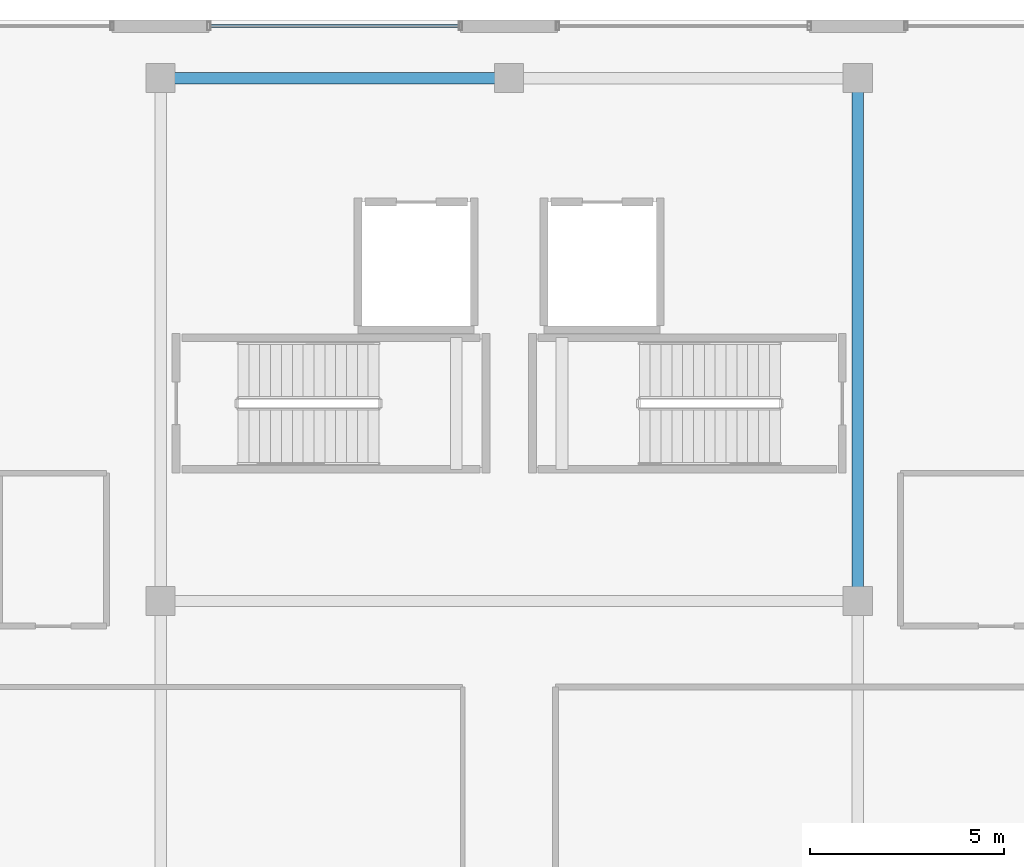
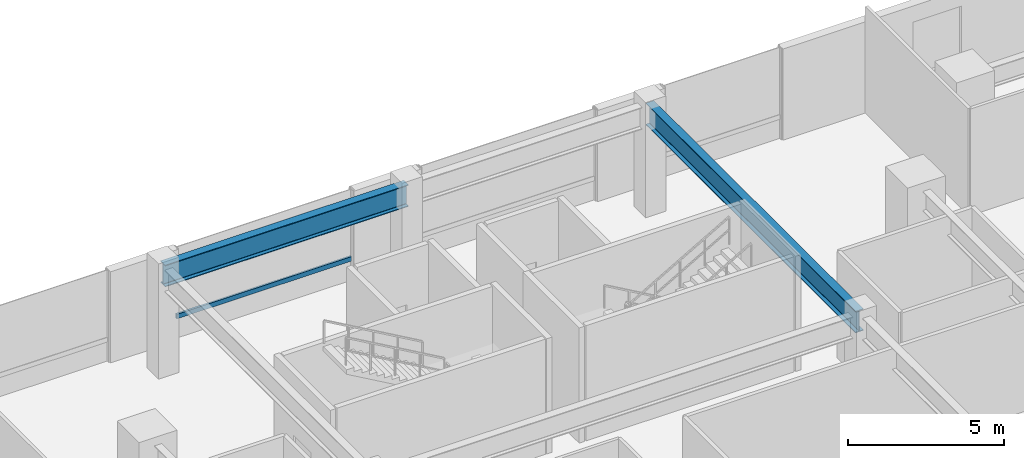
# One storey, part 7 of 25: 2 beams, 1 member, 1 element without a shape of its own.
"""IFC4 building model written with IfcOpenShell, lengths in metres."""

from ifc_helpers import new_model, si_unit, direction, frame, origin, origin_2d, place, context, subcontext, project, spatial, hollow_rectangle, i_section, extrude, material, material_profile, profile_set, type_object, element, aggregate, save


model = new_model("IFC4")

# Units and contexts
model_context = context("Model", 3, precision=1e-05, world=origin(), true_north=direction((0.0, 1.0)))
body_context = subcontext(model_context, "Body", "Model", "MODEL_VIEW")
ifc_project = project(units=[si_unit("LENGTHUNIT", "METRE"), si_unit("AREAUNIT", "SQUARE_METRE"), si_unit("VOLUMEUNIT", "CUBIC_METRE"), si_unit("PLANEANGLEUNIT", "RADIAN"), si_unit("MASSUNIT", "GRAM", prefix="KILO")], contexts=[model_context])

# Site, building, storey
site_placement = place(None, origin())
site = spatial("IfcSite", under=ifc_project, at=site_placement, CompositionType="ELEMENT")
building_placement = place(site_placement, origin())
building = spatial("IfcBuilding", under=site, at=building_placement, Name="Thornwick Lancets Civic Towers", CompositionType="ELEMENT")
storey_placement = place(building_placement, frame((0.0, 0.0, 9.60009765625)))
storey = spatial("IfcBuildingStorey", under=building, at=storey_placement, Name="L02", CompositionType="ELEMENT", Elevation=9.60009765625)

# Beams
ifc_material_1 = material(Name="Steel S355JR", Category="steel")
ifc_material_profile_1 = material_profile(ifc_material_1, i_section(OverallWidth=0.293701171875, OverallDepth=0.850830078125, WebThickness=0.01611328125, FlangeThickness=0.02685546875, FilletRadius=0.017822265625, at=origin_2d()), Name="UKB 838x292x226")
ifc_profile_set_1 = profile_set([ifc_material_profile_1], Name="Steel S355JR")
beam_type = type_object("IfcBeamType", Name="BM_POD_838_226", PredefinedType="BEAM", material=ifc_profile_set_1)
beam_1_placement = place(storey_placement, frame((66.0, 34.580078125, 3.75439453125), z_axis=(0.0, 1.0, 0.0), x_axis=(-1.0, 0.0, 0.0)))
element("IfcBeam", 1, at=beam_1_placement, inside=storey, type_object=beam_type, Name="BM-PODG-L02-10-13", PredefinedType="BEAM", context=body_context, shape_type="SweptSolid", body=[
    extrude(i_section(OverallWidth=0.293701171875, OverallDepth=0.850830078125, WebThickness=0.01611328125, FlangeThickness=0.02685546875, FilletRadius=0.017822265625, at=origin_2d()), origin(), (0.0, 0.0, 1.0), 13.419921875),
])
beam_2_placement = place(storey_placement, frame((48.0, 48.0, 3.75439453125), z_axis=(1.0, 0.0, 0.0), x_axis=(0.0, 1.0, 0.0)))
element("IfcBeam", 2, at=beam_2_placement, inside=storey, type_object=beam_type, Name="BM-PODG-L02-11-12", PredefinedType="BEAM", context=body_context, shape_type="SweptSolid", body=[
    extrude(i_section(OverallWidth=0.293701171875, OverallDepth=0.850830078125, WebThickness=0.01611328125, FlangeThickness=0.02685546875, FilletRadius=0.017822265625, at=origin_2d()), origin(), (0.0, 0.0, 1.0), 9.0),
])

# Curtain wall, member
ifc_material_2 = material(Name="Terracotta-trimmed cascading podium ribbon curtain wall", Category="masonry")
curtain_wall_type = type_object("IfcCurtainWallType", Name="CW_SYS_02", PredefinedType="NOTDEFINED", material=ifc_material_2)
curtain_wall_placement = place(storey_placement, origin())
curtain_wall = element("IfcCurtainWall", 3, at=curtain_wall_placement, inside=storey, type_object=curtain_wall_type, Name="L02 Curtain Wall CW-L02-POD-NC-S3", PredefinedType="NOTDEFINED")
ifc_material_3 = material(Name="Thermally broken bronze aluminium S355", Category="steel")
ifc_material_profile_2 = material_profile(ifc_material_3, hollow_rectangle(XDim=0.074951171875, YDim=0.179931640625, WallThickness=0.006103515625, at=origin_2d()), Name="RHS 180x75x6")
ifc_profile_set_2 = profile_set([ifc_material_profile_2], Name="Thermally broken bronze aluminium S355")
member_type = type_object("IfcMemberType", Name="CW_TRN_180", PredefinedType="USERDEFINED", material=ifc_profile_set_2)
member_placement = place(storey_placement, frame((55.72998046875, 49.340087890625, 0.849853515625), z_axis=(-1.0, 0.0, 0.0), x_axis=(0.0, -1.0, 0.0)))
member = element("IfcMember", 4, at=member_placement, type_object=member_type, Name="CW-L02-POD-NC-S3 Transom 0", ObjectType="TRANSOM", PredefinedType="USERDEFINED", context=body_context, shape_type="SweptSolid", body=[
    extrude(hollow_rectangle(XDim=0.074951171875, YDim=0.179931640625, WallThickness=0.006103515625, at=origin_2d()), origin(), (0.0, 0.0, 1.0), 6.4599609375),
])
aggregate(curtain_wall, [member])

save(model, "model.ifc")
